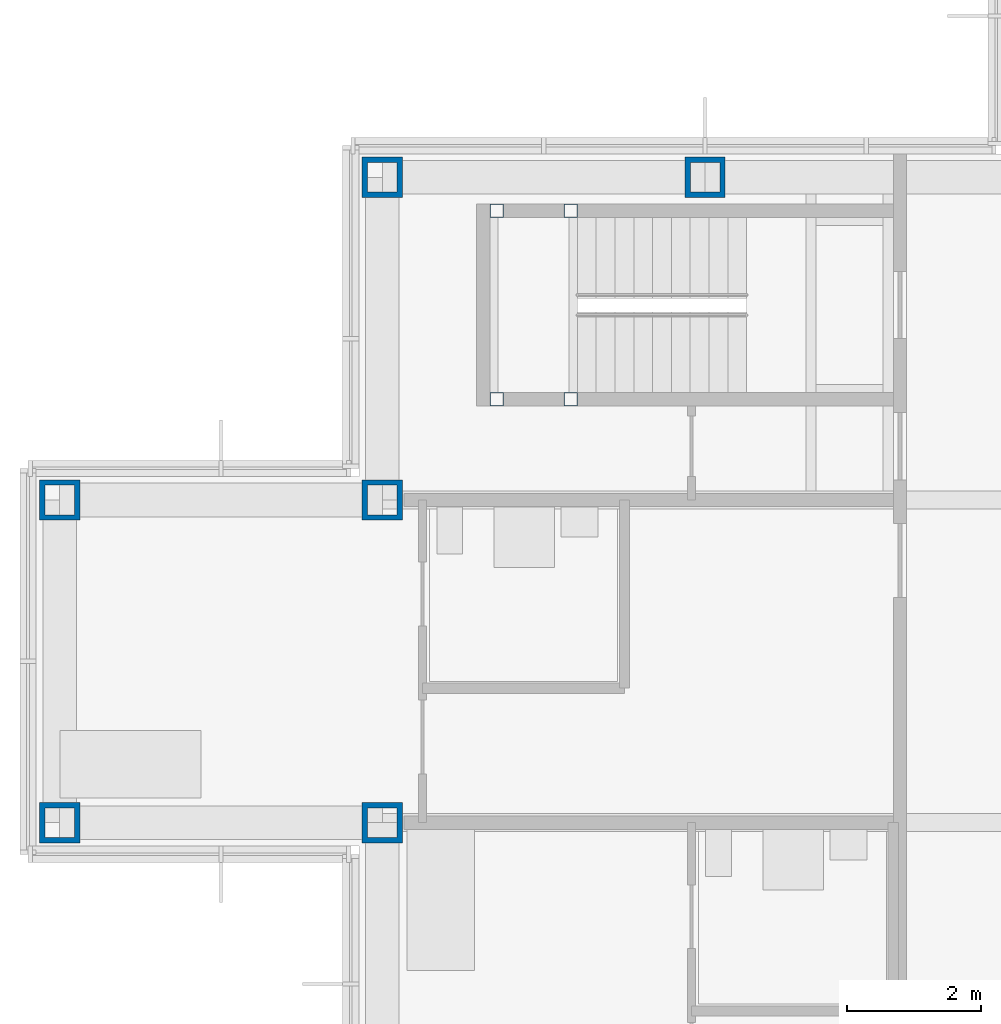
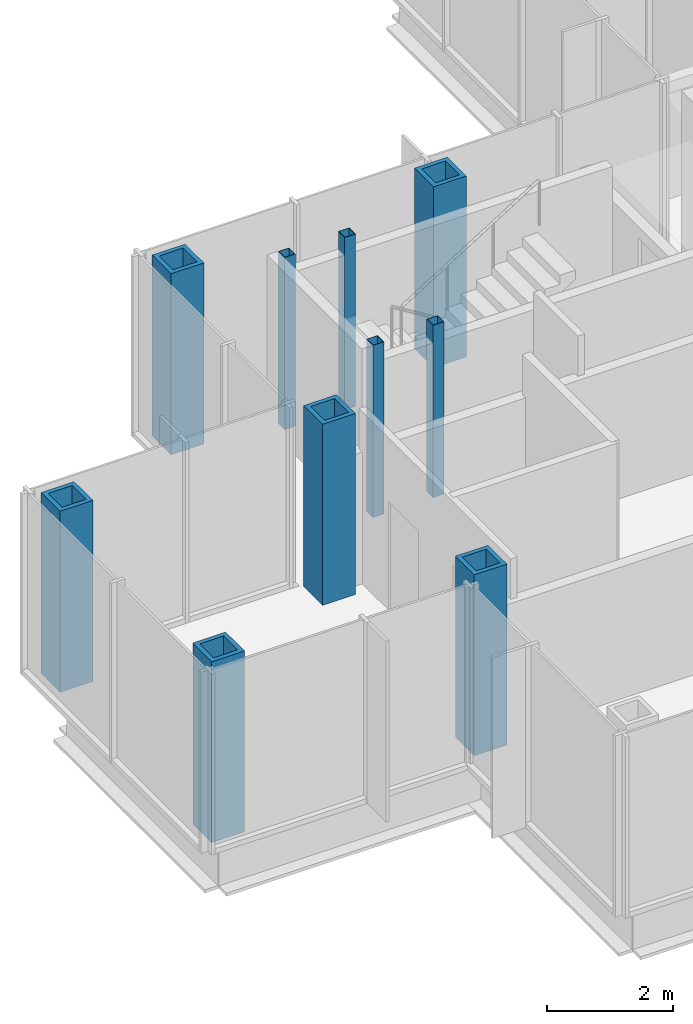
# One storey, part 3 of 17: 10 columns.
"""IFC4 building model written with IfcOpenShell, lengths in metres."""

from ifc_helpers import new_model, si_unit, direction, frame, origin, origin_2d, place, context, subcontext, project, spatial, hollow_rectangle, extrude, material, material_profile, profile_set, type_object, element, save


model = new_model("IFC4")

# Units and contexts
model_context = context("Model", 3, precision=1e-05, world=origin(), true_north=direction((0.0, 1.0)))
body_context = subcontext(model_context, "Body", "Model", "MODEL_VIEW")
ifc_project = project(units=[si_unit("LENGTHUNIT", "METRE"), si_unit("AREAUNIT", "SQUARE_METRE"), si_unit("VOLUMEUNIT", "CUBIC_METRE"), si_unit("PLANEANGLEUNIT", "RADIAN"), si_unit("MASSUNIT", "GRAM", prefix="KILO")], contexts=[model_context])

# Site, building, storey
site_placement = place(None, origin())
site = spatial("IfcSite", under=ifc_project, at=site_placement, CompositionType="ELEMENT")
building_placement = place(site_placement, origin())
building = spatial("IfcBuilding", under=site, at=building_placement, Name="Kvirike Care Tower", CompositionType="ELEMENT")
storey_placement = place(building_placement, frame((0.0, 0.0, 183.0)))
storey = spatial("IfcBuildingStorey", under=building, at=storey_placement, Name="L50", CompositionType="ELEMENT", Elevation=183.0)

# Columns
ifc_material_1 = material(Name="Steel S460", Category="steel")
ifc_material_profile_1 = material_profile(ifc_material_1, hollow_rectangle(XDim=0.60009765625, YDim=0.60009765625, WallThickness=0.080078125, at=origin_2d()), Name="BX 600x600x80")
ifc_profile_set_1 = profile_set([ifc_material_profile_1], Name="Steel S460")
column_type_1 = type_object("IfcColumnType", Name="COLUMN BX 600x600x80", PredefinedType="COLUMN", material=ifc_profile_set_1)
for number, where, z_axis, x_axis, name in (
    (1, (0.0, 33.60009765625, 0.0), (0.0, 0.0, 1.0), (0.0, 1.0, 0.0), "Column H3 L50"),
    (2, (0.0, 38.39990234375, 0.0), (0.0, 0.0, 1.0), (0.0, 1.0, 0.0), "Column J3 L50"),
    (3, (4.800048828125, 33.60009765625, 0.0), (0.0, 0.0, 1.0), (0.0, 1.0, 0.0), "Column H4 L50"),
    (4, (4.800048828125, 38.39990234375, 0.0), (0.0, 0.0, 1.0), (0.0, 1.0, 0.0), "Column J4 L50"),
    (5, (4.800048828125, 43.199951171875, 0.0), (0.0, 0.0, 1.0), (0.0, 1.0, 0.0), "Column K4 L50"),
    (6, (9.60009765625, 43.199951171875, 0.0), (0.0, 0.0, 1.0), (0.0, 1.0, 0.0), "Column K5 L50"),
):
    element("IfcColumn", number, at=place(storey_placement, frame(where, z_axis=z_axis, x_axis=x_axis)), inside=storey, type_object=column_type_1, Name=name, PredefinedType="COLUMN", context=body_context, shape_type="SweptSolid", body=[
        extrude(hollow_rectangle(XDim=0.60009765625, YDim=0.60009765625, WallThickness=0.080078125, at=origin_2d()), origin(), (0.0, 0.0, 1.0), 3.5),
    ])
ifc_material_2 = material(Name="Steel S460", Category="steel")
ifc_material_profile_2 = material_profile(ifc_material_2, hollow_rectangle(XDim=0.199951171875, YDim=0.199951171875, WallThickness=0.008056640625, at=origin_2d()), Name="SHS 200x200x8")
ifc_profile_set_2 = profile_set([ifc_material_profile_2], Name="Steel S460")
column_type_2 = type_object("IfcColumnType", Name="STAIR POST SHS 200x200x8", PredefinedType="COLUMN", material=ifc_profile_set_2)
for number, where, z_axis, x_axis, name in (
    (7, (6.5, 42.699951171875, 0.0), (0.0, 0.0, 1.0), (1.0, 0.0, 0.0), "Stair 1 post 1 L50"),
    (8, (6.5, 39.89990234375, 0.0), (0.0, 0.0, 1.0), (1.0, 0.0, 0.0), "Stair 1 post 2 L50"),
    (9, (7.60009765625, 42.699951171875, 0.0), (0.0, 0.0, 1.0), (1.0, 0.0, 0.0), "Stair 1 post 3 L50"),
    (10, (7.60009765625, 39.89990234375, 0.0), (0.0, 0.0, 1.0), (1.0, 0.0, 0.0), "Stair 1 post 4 L50"),
):
    element("IfcColumn", number, at=place(storey_placement, frame(where, z_axis=z_axis, x_axis=x_axis)), inside=storey, type_object=column_type_2, Name=name, PredefinedType="COLUMN", context=body_context, shape_type="SweptSolid", body=[
        extrude(hollow_rectangle(XDim=0.199951171875, YDim=0.199951171875, WallThickness=0.008056640625, at=origin_2d()), origin(), (0.0, 0.0, 1.0), 3.330078125),
    ])

save(model, "model.ifc")
